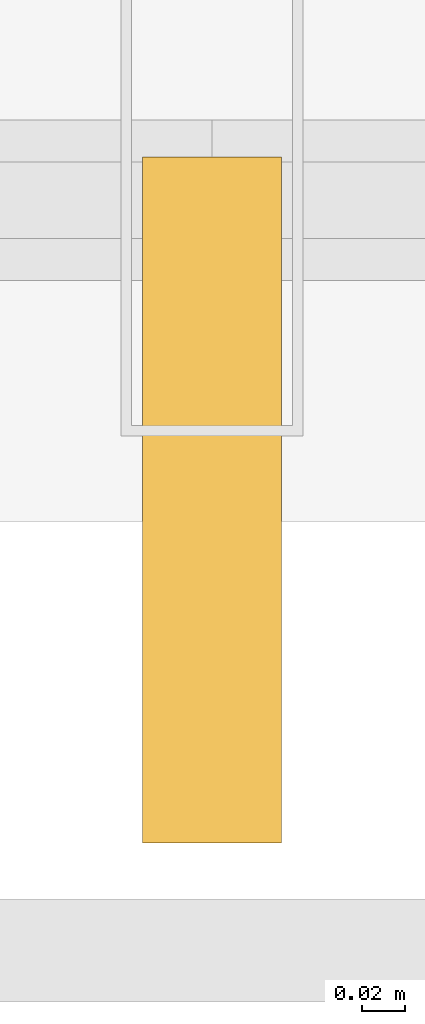
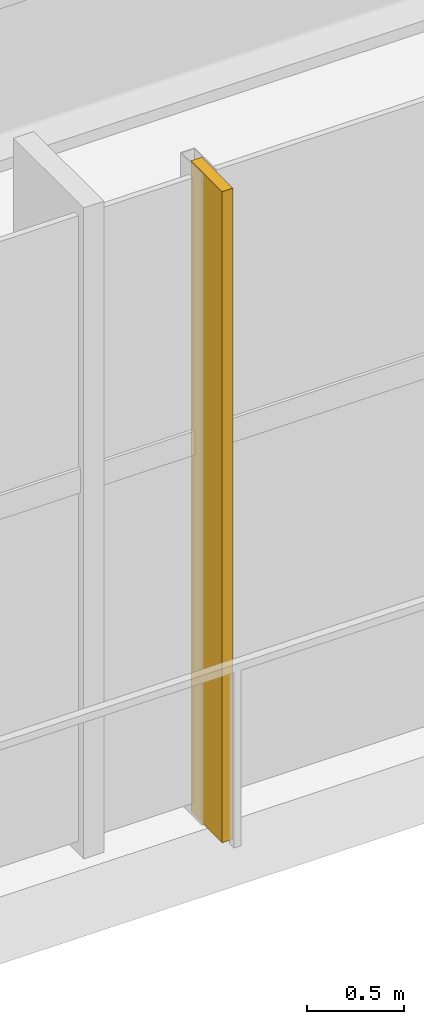
# One storey, part 25 of 29: 1 shading device.
"""IFC4 building model written with IfcOpenShell, lengths in metres."""

from ifc_helpers import new_model, si_unit, direction, frame, origin, origin_2d, place, context, subcontext, project, spatial, rectangle, extrude, source, transform, mapped, material, type_object, type_shapes, element, save


model = new_model("IFC4")

# Units and contexts
model_context = context("Model", 3, precision=1e-05, world=origin(), true_north=direction((0.0, 1.0)))
body_context = subcontext(model_context, "Body", "Model", "MODEL_VIEW")
ifc_project = project(units=[si_unit("LENGTHUNIT", "METRE"), si_unit("AREAUNIT", "SQUARE_METRE"), si_unit("VOLUMEUNIT", "CUBIC_METRE"), si_unit("PLANEANGLEUNIT", "RADIAN"), si_unit("MASSUNIT", "GRAM", prefix="KILO")], contexts=[model_context])

# Site, building, storey
site_placement = place(None, origin())
site = spatial("IfcSite", under=ifc_project, at=site_placement, CompositionType="ELEMENT")
building_placement = place(site_placement, origin())
building = spatial("IfcBuilding", under=site, at=building_placement, Name="Astriad Promenade Condominiums", CompositionType="ELEMENT")
storey_placement = place(building_placement, frame((0.0, 0.0, 18.5)))
storey = spatial("IfcBuildingStorey", under=building, at=storey_placement, Name="L04", CompositionType="ELEMENT", Elevation=18.5)

# Shading device
ifc_material = material(Name="Anodised aluminium 6063-T6 Black Fin", Category="aluminium")
shading_device_type = type_object("IfcShadingDeviceType", Name="FIN-BLACK-320", PredefinedType="USERDEFINED", material=ifc_material)
shared_shape = source(origin(), body_context, "Body", "SweptSolid", [
    extrude(rectangle(XDim=0.06494140625, YDim=0.320068359375, at=origin_2d()), origin(), (0.0, 0.0, 1.0), 4.080078125),
])
type_shapes(shading_device_type, [shared_shape])
shading_device_placement = place(storey_placement, frame((51.8701171875, 1.610107421875, 0.0), z_axis=(0.0, 0.0, 1.0), x_axis=(-1.0, 0.0, 0.0)))
element("IfcShadingDevice", 1, at=shading_device_placement, inside=storey, type_object=shading_device_type, Name="CW-L04-S-FIN-02", ObjectType="FIN", PredefinedType="USERDEFINED", context=body_context, shape_type="MappedRepresentation", body=[
    mapped(shared_shape, transform((0.0, 0.0, 0.0), scale=1.0)),
])

save(model, "model.ifc")
